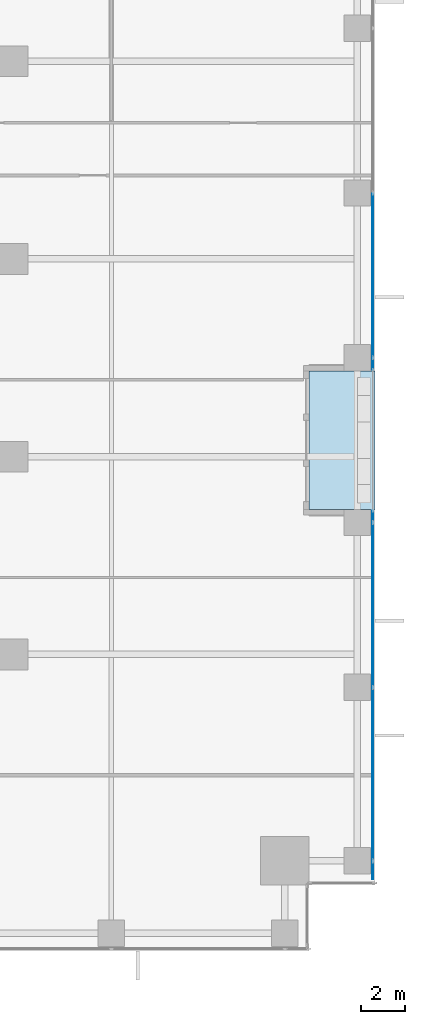
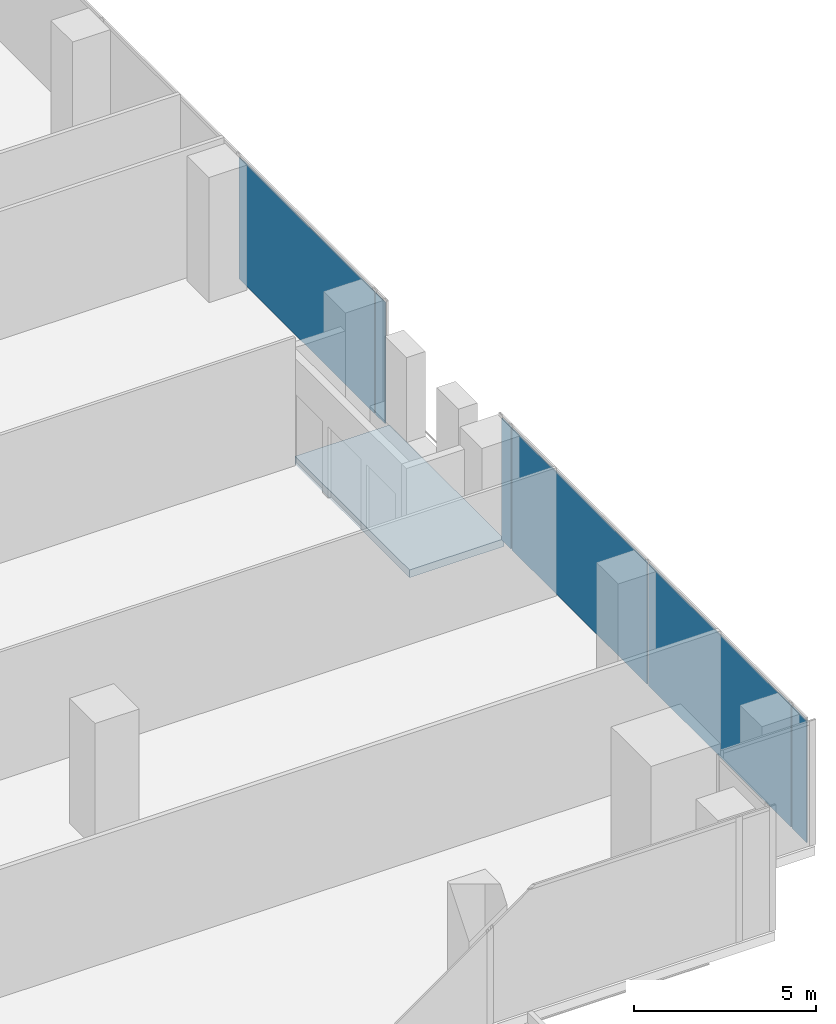
# One storey, part 23 of 32: 6 plates, 1 slab, 2 elements without a shape of their own.
"""IFC4 building model written with IfcOpenShell, lengths in metres."""

from ifc_helpers import new_model, si_unit, direction, frame, origin, origin_2d, place, context, subcontext, project, spatial, polyline, rectangle, outline, extrude, source, transform, mapped, material, layer, layer_set, type_object, element, aggregate, save


model = new_model("IFC4")

# Units and contexts
model_context = context("Model", 3, precision=1e-05, world=origin(), true_north=direction((0.0, 1.0)))
body_context = subcontext(model_context, "Body", "Model", "MODEL_VIEW")
ifc_project = project(units=[si_unit("LENGTHUNIT", "METRE"), si_unit("AREAUNIT", "SQUARE_METRE"), si_unit("VOLUMEUNIT", "CUBIC_METRE"), si_unit("PLANEANGLEUNIT", "RADIAN"), si_unit("MASSUNIT", "GRAM", prefix="KILO")], contexts=[model_context])

# Site, building, storey
site_placement = place(None, origin())
site = spatial("IfcSite", under=ifc_project, at=site_placement, CompositionType="ELEMENT")
building_placement = place(site_placement, origin())
building = spatial("IfcBuilding", under=site, at=building_placement, Name="Khomas Fold Tower", CompositionType="ELEMENT")
storey_placement = place(building_placement, frame((0.0, 0.0, 42.0)))
storey = spatial("IfcBuildingStorey", under=building, at=storey_placement, Name="L08", CompositionType="ELEMENT", Elevation=42.0)

# Curtain wall, plates
ifc_material_1 = material(Name="Aluminium framed double glazing", Category="aluminium")
curtain_wall_type = type_object("IfcCurtainWallType", Name="SK-Unitised clear-glass wall, growing floors CW1", PredefinedType="NOTDEFINED", material=ifc_material_1)
curtain_wall_1_placement = place(storey_placement, origin())
curtain_wall_1 = element("IfcCurtainWall", 1, at=curtain_wall_1_placement, inside=storey, type_object=curtain_wall_type, Name="CW1 run L08 03-0", PredefinedType="NOTDEFINED")
ifc_material_2 = material(Name="Clear double glazed unit")
ifc_layer_1 = layer(ifc_material_2, 0.031982421875)
ifc_layer_set_1 = layer_set([ifc_layer_1], Name="Clear double glazed unit")
plate_type = type_object("IfcPlateType", Name="SK-Unitised clear-glass wall, growing floors glass panel CW1-P", PredefinedType="CURTAIN_PANEL", material=ifc_layer_set_1)
shared_shape_1 = source(origin(), body_context, "Body", "SweptSolid", [
    extrude(rectangle(XDim=0.81005859375, YDim=0.031982421875, at=origin_2d()), origin(), (0.0, 0.0, 1.0), 4.080078125),
])
plate_1_placement = place(storey_placement, frame((53.89990234375, 3.6650390625, 0.0), z_axis=(0.0, 0.0, 1.0), x_axis=(0.0, 1.0, 0.0)))
plate_1 = element("IfcPlate", 2, at=plate_1_placement, type_object=plate_type, Name="CW1 glass panel 1", PredefinedType="CURTAIN_PANEL", context=body_context, shape_type="MappedRepresentation", body=[
    mapped(shared_shape_1, transform((0.0, 0.0, 0.0))),
])
shared_shape_2 = source(origin(), body_context, "Body", "SweptSolid", [
    extrude(rectangle(XDim=7.840087890625, YDim=0.031982421875, at=origin_2d()), origin(), (0.0, 0.0, 1.0), 4.080078125),
])
plate_2_placement = place(storey_placement, frame((53.89990234375, 8.050048828125, 0.0), z_axis=(0.0, 0.0, 1.0), x_axis=(0.0, 1.0, 0.0)))
plate_2 = element("IfcPlate", 3, at=plate_2_placement, type_object=plate_type, Name="CW1 glass panel 2", PredefinedType="CURTAIN_PANEL", context=body_context, shape_type="MappedRepresentation", body=[
    mapped(shared_shape_2, transform((0.0, 0.0, 0.0))),
])
shared_shape_3 = source(origin(), body_context, "Body", "SweptSolid", [
    extrude(rectangle(XDim=7.43994140625, YDim=0.031982421875, at=origin_2d()), origin(), (0.0, 0.0, 1.0), 4.080078125),
])
plate_3_placement = place(storey_placement, frame((53.89990234375, 15.75, 0.0), z_axis=(0.0, 0.0, 1.0), x_axis=(0.0, 1.0, 0.0)))
plate_3 = element("IfcPlate", 4, at=plate_3_placement, type_object=plate_type, Name="CW1 glass panel 3", PredefinedType="CURTAIN_PANEL", context=body_context, shape_type="MappedRepresentation", body=[
    mapped(shared_shape_3, transform((0.0, 0.0, 0.0))),
])

# Curtain wall, plate
curtain_wall_2_placement = place(storey_placement, origin())
curtain_wall_2 = element("IfcCurtainWall", 5, at=curtain_wall_2_placement, inside=storey, type_object=curtain_wall_type, Name="CW1 run L08 03-1", PredefinedType="NOTDEFINED")
plate_4_placement = place(storey_placement, frame((53.89990234375, 30.75, 0.0), z_axis=(0.0, 0.0, 1.0), x_axis=(0.0, 1.0, 0.0)))
plate_4 = element("IfcPlate", 6, at=plate_4_placement, type_object=plate_type, Name="CW1 glass panel 2", PredefinedType="CURTAIN_PANEL", context=body_context, shape_type="MappedRepresentation", body=[
    mapped(shared_shape_3, transform((0.0, 0.0, 0.0))),
])

# Plate
shared_shape_4 = source(origin(), body_context, "Body", "SweptSolid", [
    extrude(rectangle(XDim=0.510009765625, YDim=0.031982421875, at=origin_2d()), origin(), (0.0, 0.0, 1.0), 4.080078125),
])
plate_5_placement = place(storey_placement, frame((53.89990234375, 19.784912109375, 0.0), z_axis=(0.0, 0.0, 1.0), x_axis=(0.0, 1.0, 0.0)))
plate_5 = element("IfcPlate", 7, at=plate_5_placement, type_object=plate_type, Name="CW1 glass panel 4", PredefinedType="CURTAIN_PANEL", context=body_context, shape_type="MappedRepresentation", body=[
    mapped(shared_shape_4, transform((0.0, 0.0, 0.0))),
])

aggregate(curtain_wall_1, [plate_1, plate_2, plate_3, plate_5])

plate_6_placement = place(storey_placement, frame((53.89990234375, 26.715087890625, 0.0), z_axis=(0.0, 0.0, 1.0), x_axis=(0.0, 1.0, 0.0)))
plate_6 = element("IfcPlate", 8, at=plate_6_placement, type_object=plate_type, Name="CW1 glass panel 1", PredefinedType="CURTAIN_PANEL", context=body_context, shape_type="MappedRepresentation", body=[
    mapped(shared_shape_4, transform((0.0, 0.0, 0.0))),
])

aggregate(curtain_wall_2, [plate_6, plate_4])

# Slab
ifc_material_3 = material(Name="Concrete C40/50", Category="concrete")
ifc_layer_2 = layer(ifc_material_3, 0.2548828125)
ifc_layer_set_2 = layer_set([ifc_layer_2], Name="Concrete C40/50")
slab_type = type_object("IfcSlabType", Name="BL-Balcony deck 255", PredefinedType="FLOOR", material=ifc_layer_set_2)
shared_shape_5 = source(origin(), body_context, "Body", "SweptSolid", [
    extrude(outline(polyline([(51.0, 20.10009765625), (54.0, 20.10009765625), (54.0, 26.39990234375), (51.0, 26.39990234375), (51.0, 20.10009765625)])), origin(), (0.0, 0.0, 1.0), 0.255126953125),
])
slab_placement = place(storey_placement, frame((0.0, 0.0, -0.300048828125)))
element("IfcSlab", 9, at=slab_placement, inside=storey, type_object=slab_type, Name="Balcony deck BAL-L08-E2", PredefinedType="FLOOR", context=body_context, shape_type="MappedRepresentation", body=[
    mapped(shared_shape_5, transform((0.0, 0.0, 0.0))),
])

save(model, "model.ifc")
